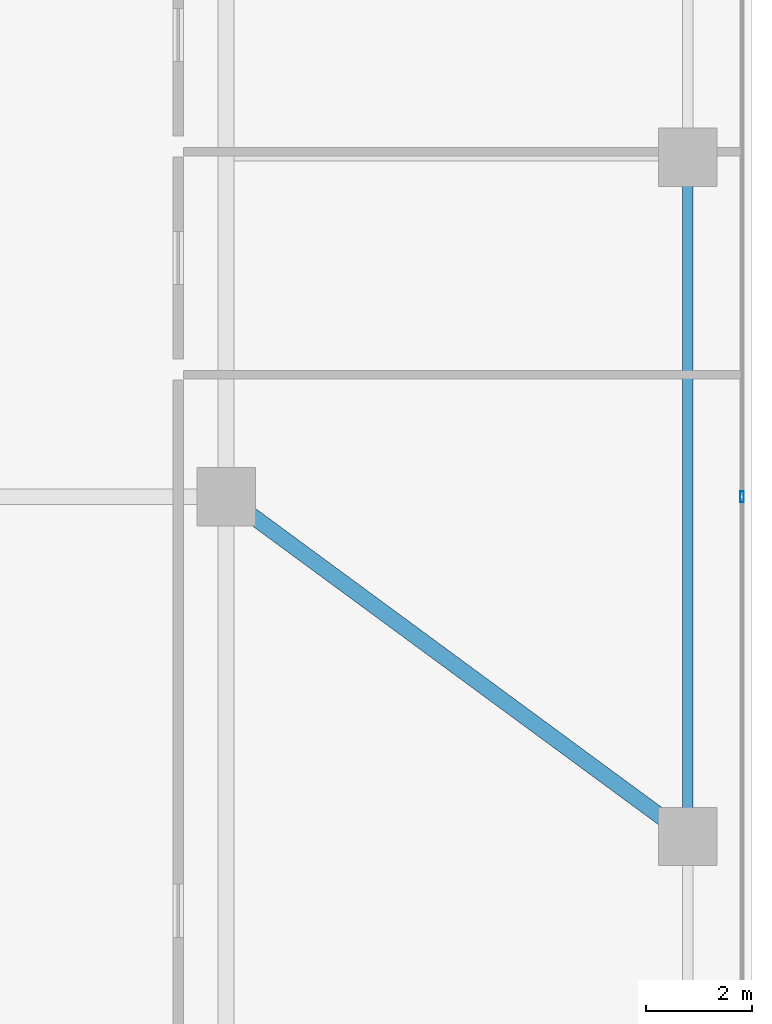
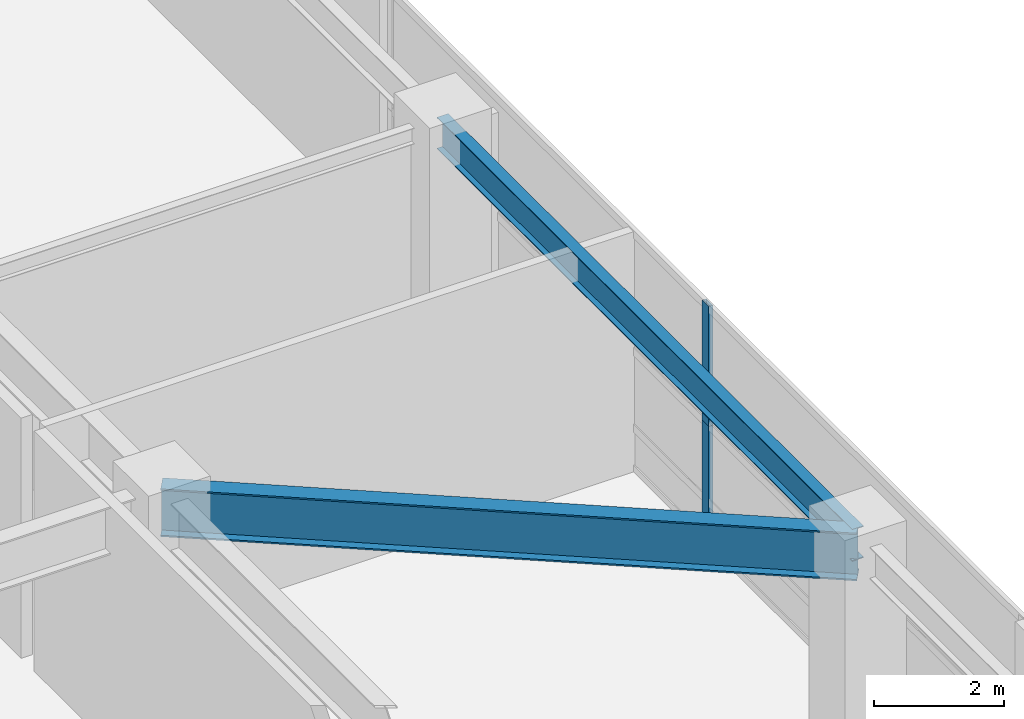
# One storey, part 29 of 38: 2 beams, 2 members, 1 element without a shape of its own.
"""IFC4 building model written with IfcOpenShell, lengths in metres."""

from ifc_helpers import new_model, si_unit, direction, frame, origin, origin_2d, place, context, subcontext, project, spatial, hollow_rectangle, i_section, extrude, source, transform, mapped, material, layer, layer_set, material_profile, profile_set, type_object, element, aggregate, save


model = new_model("IFC4")

# Units and contexts
model_context = context("Model", 3, precision=1e-05, world=origin(), true_north=direction((0.0, 1.0)))
body_context = subcontext(model_context, "Body", "Model", "MODEL_VIEW")
ifc_project = project(units=[si_unit("LENGTHUNIT", "METRE"), si_unit("AREAUNIT", "SQUARE_METRE"), si_unit("VOLUMEUNIT", "CUBIC_METRE"), si_unit("PLANEANGLEUNIT", "RADIAN"), si_unit("MASSUNIT", "GRAM", prefix="KILO"), si_unit("THERMODYNAMICTEMPERATUREUNIT", "KELVIN"), si_unit("POWERUNIT", "WATT")], contexts=[model_context])

# Site, building, storey
site_placement = place(None, origin())
site = spatial("IfcSite", under=ifc_project, at=site_placement, CompositionType="ELEMENT")
building_placement = place(site_placement, origin())
building = spatial("IfcBuilding", under=site, at=building_placement, Name="Yuzanri Waterfront Tower", CompositionType="ELEMENT")
storey_placement = place(building_placement, frame((0.0, 0.0, 10.199951171875)))
storey = spatial("IfcBuildingStorey", under=building, at=storey_placement, Name="L03", CompositionType="ELEMENT", Elevation=10.199951171875)

# Beams
ifc_material_1 = material(Name="Steel Q355B", Category="steel")
ifc_material_profile_1 = material_profile(ifc_material_1, i_section(OverallWidth=0.199951171875, OverallDepth=0.60009765625, WebThickness=0.010986328125, FlangeThickness=0.01708984375, at=origin_2d()), Name="HN 600x200x11x17")
ifc_profile_set_1 = profile_set([ifc_material_profile_1], Name="Steel Q355B")
beam_type_1 = type_object("IfcBeamType", Name="Perimeter Spandrel Q355B HN 600x200", PredefinedType="SPANDREL", material=ifc_profile_set_1)
shared_shape_1 = source(origin(), body_context, "Body", "SweptSolid", [
    extrude(i_section(OverallWidth=0.199951171875, OverallDepth=0.60009765625, WebThickness=0.010986328125, FlangeThickness=0.01708984375, at=origin_2d()), origin(), (0.0, 0.0, 1.0), 12.800048828125),
])
beam_1_placement = place(storey_placement, frame((70.800048828125, 19.39990234375, 4.219970703125), z_axis=(0.0, 1.0, 0.0), x_axis=(-1.0, 0.0, 0.0)))
element("IfcBeam", 1, at=beam_1_placement, inside=storey, type_object=beam_type_1, Name="L03 East Podium Spandrel 2", PredefinedType="SPANDREL", context=body_context, shape_type="MappedRepresentation", body=[
    mapped(shared_shape_1, transform((0.0, 0.0, 0.0), scale=1.0)),
])
ifc_material_2 = material(Name="Steel Q355B", Category="steel")
ifc_material_profile_2 = material_profile(ifc_material_2, i_section(OverallWidth=0.300048828125, OverallDepth=0.89990234375, WebThickness=0.01611328125, FlangeThickness=0.028076171875, at=origin_2d()), Name="HN 900x300x16x28")
ifc_profile_set_2 = profile_set([ifc_material_profile_2], Name="Steel Q355B")
beam_type_2 = type_object("IfcBeamType", Name="Primary Podium Girder Q355B HN 900x300", PredefinedType="BEAM", material=ifc_profile_set_2)
shared_shape_2 = source(origin(), body_context, "Body", "SweptSolid", [
    extrude(i_section(OverallWidth=0.300048828125, OverallDepth=0.89990234375, WebThickness=0.01611328125, FlangeThickness=0.028076171875, at=origin_2d()), origin(), (0.0, 0.0, 1.0), 10.800537109375),
])
beam_2_placement = place(storey_placement, frame((62.10009765625, 25.800048828125, 4.070068359375), z_axis=(0.805512964712, -0.592578149851, 0.0), x_axis=(0.592578149851, 0.805512964712, 0.0)))
element("IfcBeam", 2, at=beam_2_placement, inside=storey, type_object=beam_type_2, Name="L03 Podium East Girder 2", PredefinedType="BEAM", context=body_context, shape_type="MappedRepresentation", body=[
    mapped(shared_shape_2, transform((0.0, 0.0, 0.0), scale=1.0)),
])

# Curtain wall, members
ifc_material_3 = material(Name="Anodized Architectural Bronze", Category="metal")
ifc_layer = layer(ifc_material_3, 0.159912109375)
ifc_layer_set = layer_set([ifc_layer], Name="Anodized Architectural Bronze")
curtain_wall_type = type_object("IfcCurtainWallType", Name="Anodized Bronze Podium Waterfront Double-Height Unitized Curtain Wall 8400", PredefinedType="NOTDEFINED", material=ifc_layer_set)
curtain_wall_placement = place(storey_placement, origin())
curtain_wall = element("IfcCurtainWall", 3, at=curtain_wall_placement, inside=storey, type_object=curtain_wall_type, Name="L03 Curtain Wall CW-L03-E", PredefinedType="NOTDEFINED")
ifc_material_4 = material(Name="Anodized Architectural Bronze", Category="metal")
ifc_material_profile_3 = material_profile(ifc_material_4, hollow_rectangle(XDim=0.074951171875, YDim=0.199951171875, WallThickness=0.00390625, at=origin_2d()), Name="CWM 75x200")
ifc_profile_set_3 = profile_set([ifc_material_profile_3], Name="Anodized Architectural Bronze")
member_type = type_object("IfcMemberType", Name="Anodized Bronze Primary Curtain-Wall Mullion 75x200", PredefinedType="MULLION", material=ifc_profile_set_3)
shared_shape_3 = source(origin(), body_context, "Body", "SweptSolid", [
    extrude(hollow_rectangle(XDim=0.074951171875, YDim=0.199951171875, WallThickness=0.00390625, at=origin_2d()), origin(), (0.0, 0.0, 1.0), 2.258056640625),
])
member_1_placement = place(storey_placement, frame((71.820068359375, 25.800048828125, 0.0), z_axis=(0.0, 0.0, 1.0), x_axis=(1.0, 0.0, 0.0)))
member_1 = element("IfcMember", 4, at=member_1_placement, type_object=member_type, Name="CW-L03-E Lower Mullion 01", PredefinedType="MULLION", context=body_context, shape_type="MappedRepresentation", body=[
    mapped(shared_shape_3, transform((0.0, 0.0, 0.0), scale=1.0)),
])
member_2_placement = place(storey_placement, frame((71.820068359375, 25.800048828125, 2.261962890625), z_axis=(0.0, 0.0, 1.0), x_axis=(1.0, 0.0, 0.0)))
member_2 = element("IfcMember", 5, at=member_2_placement, type_object=member_type, Name="CW-L03-E Upper Mullion 01", PredefinedType="MULLION", context=body_context, shape_type="MappedRepresentation", body=[
    mapped(shared_shape_3, transform((0.0, 0.0, 0.0), scale=1.0)),
])
aggregate(curtain_wall, [member_1, member_2])

save(model, "model.ifc")
